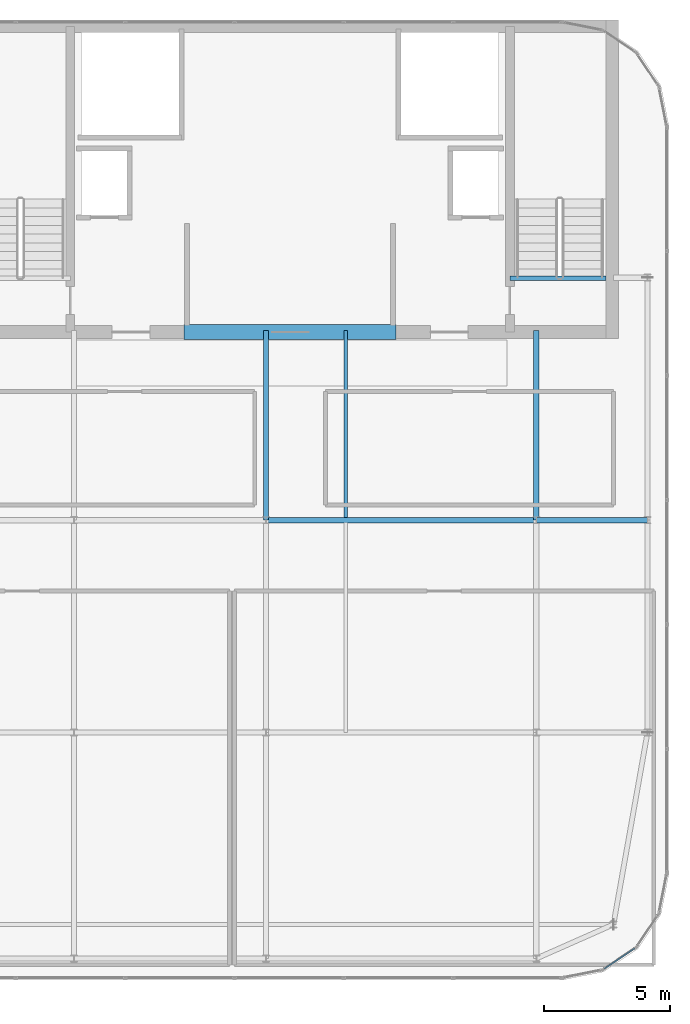
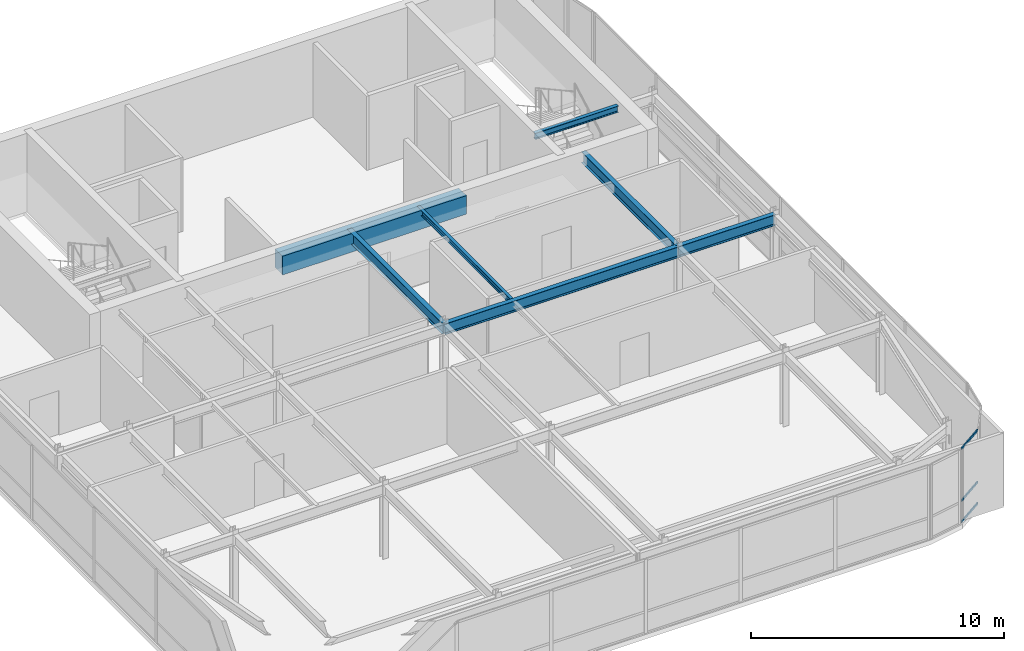
# One storey, part 20 of 36: 7 beams, 3 members, 1 element without a shape of its own.
"""IFC4 building model written with IfcOpenShell, lengths in metres."""

from ifc_helpers import new_model, si_unit, direction, frame, origin, origin_2d, place, context, subcontext, project, spatial, rectangle, hollow_rectangle, i_section, extrude, source, transform, mapped, material, layer, layer_set, material_profile, profile_set, type_object, type_shapes, element, aggregate, save


model = new_model("IFC4")

# Units and contexts
model_context = context("Model", 3, precision=1e-05, world=origin(), true_north=direction((0.0, 1.0)))
body_context = subcontext(model_context, "Body", "Model", "MODEL_VIEW")
ifc_project = project(units=[si_unit("LENGTHUNIT", "METRE"), si_unit("AREAUNIT", "SQUARE_METRE"), si_unit("VOLUMEUNIT", "CUBIC_METRE"), si_unit("PLANEANGLEUNIT", "RADIAN"), si_unit("MASSUNIT", "GRAM", prefix="KILO")], contexts=[model_context])

# Site, building, storey
site_placement = place(None, origin())
site = spatial("IfcSite", under=ifc_project, at=site_placement, CompositionType="ELEMENT")
building_placement = place(site_placement, origin())
building = spatial("IfcBuilding", under=site, at=building_placement, Name="Tolvann Quenvar Hotel", CompositionType="ELEMENT")
storey_placement = place(building_placement, frame((0.0, 0.0, 298.550048828125)))
storey = spatial("IfcBuildingStorey", under=building, at=storey_placement, Name="L79", CompositionType="ELEMENT", Elevation=298.550048828125)

# Beams
ifc_material_1 = material(Name="Concrete N50 (50 MPa)", Category="concrete")
ifc_material_profile_1 = material_profile(ifc_material_1, rectangle(XDim=0.60009765625, YDim=0.89990234375, at=origin_2d()), Name="RC600x900")
ifc_profile_set_1 = profile_set([ifc_material_profile_1], Name="Concrete N50 (50 MPa)")
beam_type_1 = type_object("IfcBeamType", Name="BM_LINT_RC600x900", PredefinedType="LINTEL", material=ifc_profile_set_1)
shared_shape_1 = source(origin(), body_context, "Body", "SweptSolid", [
    extrude(rectangle(XDim=0.60009765625, YDim=0.89990234375, at=origin_2d()), origin(), (0.0, 0.0, 1.0), 8.39990234375),
])
type_shapes(beam_type_1, [shared_shape_1])
beam_1_placement = place(storey_placement, frame((18.800048828125, 31.85009765625, 3.1298828125), z_axis=(1.0, 0.0, 0.0), x_axis=(0.0, 1.0, 0.0)))
element("IfcBeam", 1, at=beam_1_placement, inside=storey, type_object=beam_type_1, Name="Core Coupling Lintel Beam (L79)", PredefinedType="LINTEL", context=body_context, shape_type="MappedRepresentation", body=[
    mapped(shared_shape_1, transform((0.0, 0.0, 0.0), x_axis=(1.0, 0.0, 0.0), y_axis=(0.0, 1.0, 0.0), z_axis=(0.0, 0.0, 1.0), scale=1.0)),
])
ifc_material_2 = material(Name="Steel Grade 350", Category="steel")
ifc_material_profile_2 = material_profile(ifc_material_2, i_section(OverallWidth=0.166015625, OverallDepth=0.306884765625, WebThickness=0.006591796875, FlangeThickness=0.01171875, FilletRadius=0.011474609375, at=origin_2d()), Name="310UB46")
ifc_profile_set_2 = profile_set([ifc_material_profile_2], Name="Steel Grade 350")
beam_type_2 = type_object("IfcBeamType", Name="BM_JOIST_310UB46", PredefinedType="JOIST", material=ifc_profile_set_2)
shared_shape_2 = source(origin(), body_context, "Body", "SweptSolid", [
    extrude(i_section(OverallWidth=0.166015625, OverallDepth=0.306884765625, WebThickness=0.006591796875, FlangeThickness=0.01171875, FilletRadius=0.011474609375, at=origin_2d()), origin(), (0.0, 0.0, 1.0), 3.800048828125),
])
type_shapes(beam_type_2, [shared_shape_2])
beam_2_placement = place(storey_placement, frame((31.699951171875, 33.97998046875, 3.426513671875), z_axis=(1.0, 0.0, 0.0), x_axis=(0.0, 1.0, 0.0)))
element("IfcBeam", 2, at=beam_2_placement, inside=storey, type_object=beam_type_2, Name="BM-HDR-STC2-L80", PredefinedType="JOIST", context=body_context, shape_type="MappedRepresentation", body=[
    mapped(shared_shape_2, transform((0.0, 0.0, 0.0), x_axis=(1.0, 0.0, 0.0), y_axis=(0.0, 1.0, 0.0), z_axis=(0.0, 0.0, 1.0), scale=1.0)),
])
ifc_material_profile_3 = material_profile(ifc_material_2, i_section(OverallWidth=0.208984375, OverallDepth=0.532958984375, WebThickness=0.01025390625, FlangeThickness=0.015625, FilletRadius=0.013916015625, at=origin_2d()), Name="530UB92")
ifc_profile_set_3 = profile_set([ifc_material_profile_3], Name="Steel Grade 350")
beam_type_3 = type_object("IfcBeamType", Name="BM_GIRD_530UB92", PredefinedType="BEAM", material=ifc_profile_set_3)
shared_shape_3 = source(origin(), body_context, "Body", "SweptSolid", [
    extrude(i_section(OverallWidth=0.208984375, OverallDepth=0.532958984375, WebThickness=0.01025390625, FlangeThickness=0.015625, FilletRadius=0.013916015625, at=origin_2d()), origin(), (0.0, 0.0, 1.0), 7.5),
])
for number, where, z_axis, x_axis, name in (
    (3, (22.050048828125, 24.39990234375, 3.3134765625), (0.0, 1.0, 0.0), (-1.0, 0.0, 0.0), "BM-L79-CORE-E5"),
    (4, (32.75, 24.39990234375, 3.3134765625), (0.0, 1.0, 0.0), (-1.0, 0.0, 0.0), "BM-L79-CORE-FP5"),
):
    element("IfcBeam", number, at=place(storey_placement, frame(where, z_axis=z_axis, x_axis=x_axis)), inside=storey, type_object=beam_type_3, Name=name, PredefinedType="BEAM", context=body_context, shape_type="MappedRepresentation", body=[
        mapped(shared_shape_3, transform((0.0, 0.0, 0.0), x_axis=(1.0, 0.0, 0.0), y_axis=(0.0, 1.0, 0.0), z_axis=(0.0, 0.0, 1.0), scale=1.0)),
    ])
shared_shape_4 = source(origin(), body_context, "Body", "SweptSolid", [
    extrude(i_section(OverallWidth=0.208984375, OverallDepth=0.532958984375, WebThickness=0.01025390625, FlangeThickness=0.015625, FilletRadius=0.013916015625, at=origin_2d()), origin(), (0.0, 0.0, 1.0), 10.699951171875),
])
beam_3_placement = place(storey_placement, frame((22.050048828125, 24.39990234375, 3.3134765625), z_axis=(1.0, 0.0, 0.0), x_axis=(0.0, 1.0, 0.0)))
element("IfcBeam", 5, at=beam_3_placement, inside=storey, type_object=beam_type_3, Name="BM-L79-EW-5-E5-FP5", PredefinedType="BEAM", context=body_context, shape_type="MappedRepresentation", body=[
    mapped(shared_shape_4, transform((0.0, 0.0, 0.0), x_axis=(1.0, 0.0, 0.0), y_axis=(0.0, 1.0, 0.0), z_axis=(0.0, 0.0, 1.0), scale=1.0)),
])
shared_shape_5 = source(origin(), body_context, "Body", "SweptSolid", [
    extrude(i_section(OverallWidth=0.208984375, OverallDepth=0.532958984375, WebThickness=0.01025390625, FlangeThickness=0.015625, FilletRadius=0.013916015625, at=origin_2d()), origin(), (0.0, 0.0, 1.0), 4.39990234375),
])
type_shapes(beam_type_3, [shared_shape_3, shared_shape_4, shared_shape_5])
beam_4_placement = place(storey_placement, frame((32.75, 24.39990234375, 3.3134765625), z_axis=(1.0, 0.0, 0.0), x_axis=(0.0, 1.0, 0.0)))
element("IfcBeam", 6, at=beam_4_placement, inside=storey, type_object=beam_type_3, Name="BM-L79-EW-5-FP5-G5", PredefinedType="BEAM", context=body_context, shape_type="MappedRepresentation", body=[
    mapped(shared_shape_5, transform((0.0, 0.0, 0.0), x_axis=(1.0, 0.0, 0.0), y_axis=(0.0, 1.0, 0.0), z_axis=(0.0, 0.0, 1.0), scale=1.0)),
])
ifc_material_profile_4 = material_profile(ifc_material_2, i_section(OverallWidth=0.14599609375, OverallDepth=0.256103515625, WebThickness=0.00634765625, FlangeThickness=0.010986328125, FilletRadius=0.0087890625, at=origin_2d()), Name="250UB37")
ifc_profile_set_4 = profile_set([ifc_material_profile_4], Name="Steel Grade 350")
beam_type_4 = type_object("IfcBeamType", Name="BM_JOIST_250UB37", PredefinedType="JOIST", material=ifc_profile_set_4)
shared_shape_6 = source(origin(), body_context, "Body", "SweptSolid", [
    extrude(i_section(OverallWidth=0.14599609375, OverallDepth=0.256103515625, WebThickness=0.00634765625, FlangeThickness=0.010986328125, FilletRadius=0.0087890625, at=origin_2d()), origin(), (0.0, 0.0, 1.0), 7.4013671875),
])
type_shapes(beam_type_4, [shared_shape_6])
beam_5_placement = place(storey_placement, frame((25.199951171875, 24.49853515625, 3.451904296875), z_axis=(0.0, 1.0, 0.0), x_axis=(-1.0, 0.0, 0.0)))
element("IfcBeam", 7, at=beam_5_placement, inside=storey, type_object=beam_type_4, Name="BJ-L79-252-244", PredefinedType="JOIST", context=body_context, shape_type="MappedRepresentation", body=[
    mapped(shared_shape_6, transform((0.0, 0.0, 0.0), x_axis=(1.0, 0.0, 0.0), y_axis=(0.0, 1.0, 0.0), z_axis=(0.0, 0.0, 1.0), scale=1.0)),
])

# Curtain wall, members
ifc_material_3 = material(Name="Thermally broken anodised architectural aluminium 6063-T6 and laminated low-E glass", Category="aluminium")
ifc_layer = layer(ifc_material_3, 0.179931640625)
ifc_layer_set = layer_set([ifc_layer], Name="Thermally broken anodised architectural aluminium 6063-T6 and laminated low-E glass")
curtain_wall_type = type_object("IfcCurtainWallType", Name="CW_SYS_LANT_06", PredefinedType="USERDEFINED", material=ifc_layer_set)
curtain_wall_placement = place(storey_placement, origin())
curtain_wall = element("IfcCurtainWall", 8, at=curtain_wall_placement, inside=storey, type_object=curtain_wall_type, Name="Curtain Wall CW-LANT-06 (CWR-L79-E06)", ObjectType="UNITISED CURTAIN WALL", PredefinedType="USERDEFINED")
ifc_material_4 = material(Name="Anodised architectural aluminium 6063-T6 framing", Category="aluminium")
ifc_material_profile_5 = material_profile(ifc_material_4, hollow_rectangle(XDim=0.050048828125, YDim=0.10009765625, WallThickness=0.0029296875, at=origin_2d()), Name="100x50x3RHS")
ifc_profile_set_5 = profile_set([ifc_material_profile_5], Name="Anodised architectural aluminium 6063-T6 framing")
member_type = type_object("IfcMemberType", Name="CW_TRAN_100x50", PredefinedType="USERDEFINED", material=ifc_profile_set_5)
shared_shape_7 = source(origin(), body_context, "Body", "SweptSolid", [
    extrude(hollow_rectangle(XDim=0.050048828125, YDim=0.10009765625, WallThickness=0.0029296875, at=origin_2d()), origin(), (0.0, 0.0, 1.0), 1.439208984375),
])
type_shapes(member_type, [shared_shape_7])
member_1_placement = place(storey_placement, frame((35.440185546875, 6.64990234375, 0.02490234375), z_axis=(0.831449510818, 0.555600315839, 0.0), x_axis=(-0.555600315839, 0.831449510818, 0.0)))
member_1 = element("IfcMember", 9, at=member_1_placement, type_object=member_type, Name="CW-LANT-06 transom 1.1", ObjectType="TRANSOM", PredefinedType="USERDEFINED", context=body_context, shape_type="MappedRepresentation", body=[
    mapped(shared_shape_7, transform((0.0, 0.0, 0.0), x_axis=(1.0, 0.0, 0.0), y_axis=(0.0, 1.0, 0.0), z_axis=(0.0, 0.0, 1.0), scale=1.0)),
])
member_2_placement = place(storey_placement, frame((35.440185546875, 6.64990234375, 1.050048828125), z_axis=(0.831449510818, 0.555600315839, 0.0), x_axis=(-0.555600315839, 0.831449510818, 0.0)))
member_2 = element("IfcMember", 10, at=member_2_placement, type_object=member_type, Name="CW-LANT-06 transom 1.2", ObjectType="TRANSOM", PredefinedType="USERDEFINED", context=body_context, shape_type="MappedRepresentation", body=[
    mapped(shared_shape_7, transform((0.0, 0.0, 0.0), x_axis=(1.0, 0.0, 0.0), y_axis=(0.0, 1.0, 0.0), z_axis=(0.0, 0.0, 1.0), scale=1.0)),
])
member_3_placement = place(storey_placement, frame((35.440185546875, 6.64990234375, 3.554931640625), z_axis=(0.831449510818, 0.555600315839, 0.0), x_axis=(-0.555600315839, 0.831449510818, 0.0)))
member_3 = element("IfcMember", 11, at=member_3_placement, type_object=member_type, Name="CW-LANT-06 transom 1.3", ObjectType="TRANSOM", PredefinedType="USERDEFINED", context=body_context, shape_type="MappedRepresentation", body=[
    mapped(shared_shape_7, transform((0.0, 0.0, 0.0), x_axis=(1.0, 0.0, 0.0), y_axis=(0.0, 1.0, 0.0), z_axis=(0.0, 0.0, 1.0), scale=1.0)),
])
aggregate(curtain_wall, [member_1, member_2, member_3])

save(model, "model.ifc")
